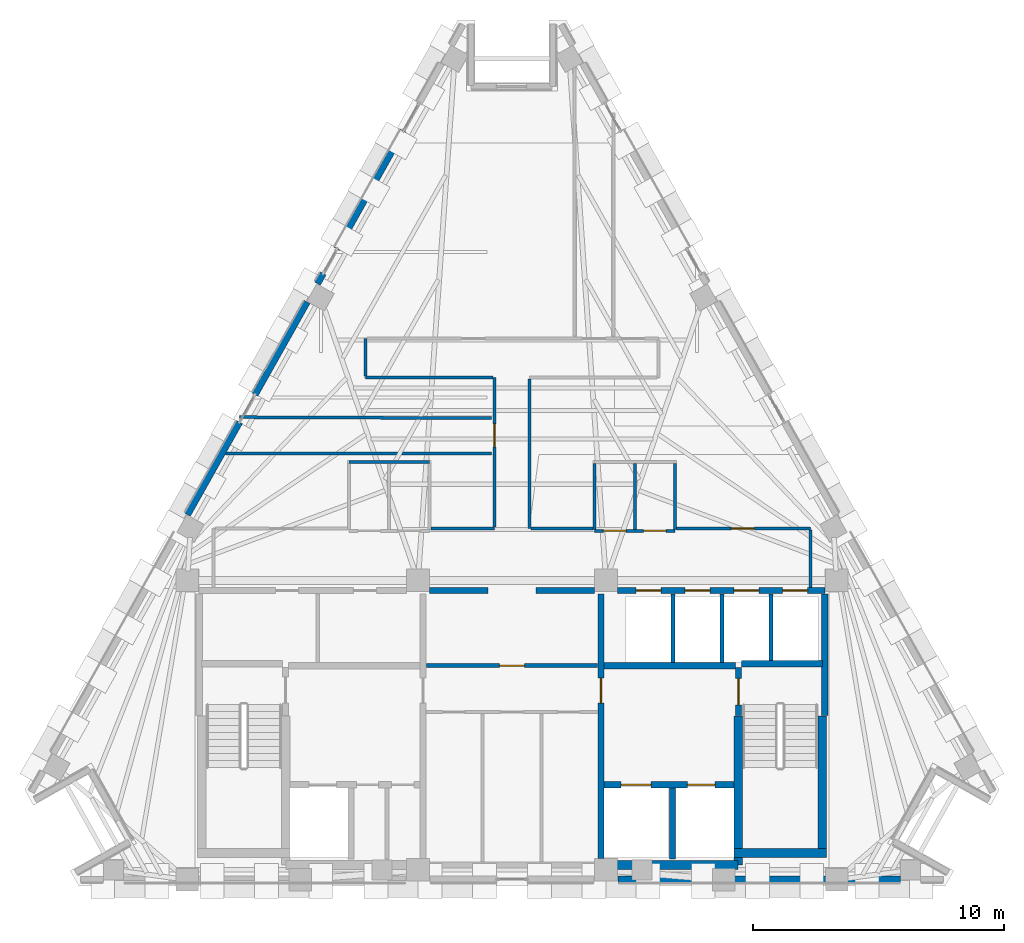
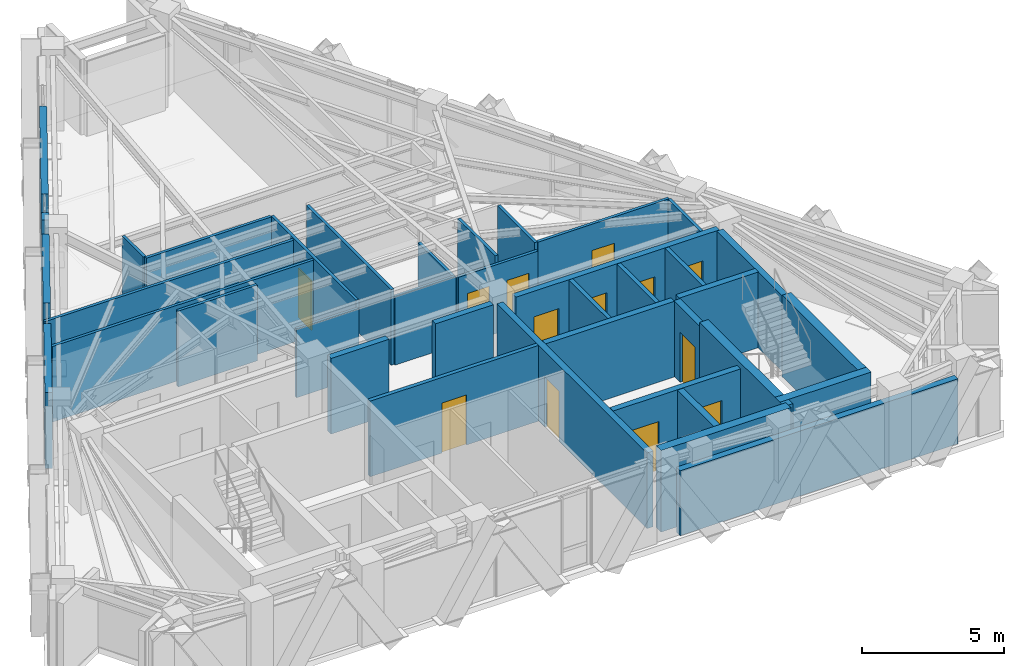
# One storey, part 6 of 9: 38 walls, 13 doors, 13 openings.
"""IFC4 building model written with IfcOpenShell, lengths in metres."""

import ifcopenshell
import ifcopenshell.guid

model = None  # the IFC model being written
_history = None  # IfcOwnerHistory: only IFC2X3 demands one
_inside = {}  # id of a spatial element -> (the spatial element, [elements in it])
_under = {}  # id of a project, library or spatial element -> (it, [spatial elements below it])
_declared = {}  # id of a project -> (the project, [libraries it declares])
_typed = {}  # id of a type object -> (the type object, [elements of that type])
_made_of = {}  # id of a material, layer set ... -> (it, [elements and type objects made of it])


def new_model(schema):
    """Start an empty IFC model of exactly this schema.

    Asked for "IFC4X3", IfcOpenShell would pick the latest addendum, in which some entities
    have other attributes; the version numbers below select the first issue.
    IFC2X3 requires an IfcOwnerHistory on every rooted entity: one is made here for all.
    """
    global model, _history
    if schema == "IFC4X3":
        model = ifcopenshell.file(schema_version=(4, 3, 0, 0))
    else:
        model = ifcopenshell.file(schema=schema)
    _inside.clear()
    _under.clear()
    _declared.clear()
    _typed.clear()
    _made_of.clear()
    _history = None
    if model.schema == "IFC2X3":
        org = make("IfcOrganization", Name="unknown")
        user = make(
            "IfcPersonAndOrganization",
            ThePerson=make("IfcPerson", FamilyName="unknown"),
            TheOrganization=org,
        )
        app = make(
            "IfcApplication",
            ApplicationDeveloper=org,
            Version="unknown",
            ApplicationFullName="unknown",
            ApplicationIdentifier="unknown",
        )
        _history = make(
            "IfcOwnerHistory",
            OwningUser=user,
            OwningApplication=app,
            ChangeAction="ADDED",
            CreationDate=0,
        )
    return model


def make(cls, **values):
    """One entity of the class cls with the attributes given. An attribute that is None is left unset."""
    return model.create_entity(
        cls, **{name: value for name, value in values.items() if value is not None}
    )


def rooted(cls, **values):
    """An entity with a GlobalId (a new one), such as an element, a storey or a relation."""
    return make(cls, GlobalId=ifcopenshell.guid.new(), OwnerHistory=_history, **values)


def si_unit(unit_type, name, prefix=None):
    """IfcSIUnit, for example si_unit("LENGTHUNIT", "METRE", prefix="MILLI")."""
    return make("IfcSIUnit", UnitType=unit_type, Prefix=prefix, Name=name)


def assignment(units):
    """IfcUnitAssignment: the units of a project."""
    return None if units is None else make("IfcUnitAssignment", Units=units)


def point(xyz):
    """IfcCartesianPoint."""
    return None if xyz is None else make("IfcCartesianPoint", Coordinates=xyz)


def direction(xyz):
    """IfcDirection."""
    return None if xyz is None else make("IfcDirection", DirectionRatios=xyz)


def frame(location, z_axis=None, x_axis=None):
    """IfcAxis2Placement3D, a coordinate frame: its origin and axes. An axis left out is left unset."""
    return make(
        "IfcAxis2Placement3D",
        Location=point(location),
        Axis=direction(z_axis),
        RefDirection=direction(x_axis),
    )


def frame_2d(location, x_axis=None):
    """IfcAxis2Placement2D, a coordinate frame in the plane: its origin and x axis."""
    return make(
        "IfcAxis2Placement2D", Location=point(location), RefDirection=direction(x_axis)
    )


def origin():
    """The frame at (0, 0, 0) with its axes left unset."""
    return frame((0.0, 0.0, 0.0))


def place(relative_to, where):
    """IfcLocalPlacement: puts the frame where relative to a parent placement (None: the world)."""
    return make(
        "IfcLocalPlacement", PlacementRelTo=relative_to, RelativePlacement=where
    )


def context(
    kind, dimensions, precision=None, world=None, true_north=None, identifier=None
):
    """IfcGeometricRepresentationContext, for example the 3D "Model" context."""
    return make(
        "IfcGeometricRepresentationContext",
        ContextIdentifier=identifier,
        ContextType=kind,
        CoordinateSpaceDimension=dimensions,
        Precision=precision,
        WorldCoordinateSystem=world,
        TrueNorth=true_north,
    )


def subcontext(parent, identifier, kind, view, scale=None):
    """IfcGeometricRepresentationSubContext, for example "Body" below "Model"."""
    return make(
        "IfcGeometricRepresentationSubContext",
        ContextIdentifier=identifier,
        ContextType=kind,
        ParentContext=parent,
        TargetScale=scale,
        TargetView=view,
    )


def project(units=None, contexts=None):
    """IfcProject with its units and contexts."""
    return rooted(
        "IfcProject",
        Name="project",
        RepresentationContexts=contexts,
        UnitsInContext=assignment(units),
    )


def spatial(cls, under=None, at=None, **own):
    """A site, building, storey or space (cls), placed at a placement, below another one or the project."""
    s = rooted(cls, ObjectPlacement=at, **own)
    if under is not None:
        _under.setdefault(under.id(), (under, []))[1].append(s)
    return s


def profile(cls, at=None, kind="AREA", **sizes):
    """A parametric profile (cls). Its sizes go by their IFC names, for example OverallWidth=200.0."""
    return make(cls, ProfileType=kind, Position=at, **sizes)


def rectangle(**sizes):
    """IfcRectangleProfileDef."""
    return profile("IfcRectangleProfileDef", **sizes)


def extrude(swept, where, along, depth):
    """IfcExtrudedAreaSolid: the profile swept, set in the frame where, extruded along a direction by depth."""
    return make(
        "IfcExtrudedAreaSolid",
        SweptArea=swept,
        Position=where,
        ExtrudedDirection=direction(along),
        Depth=depth,
    )


def shape(context_of_items, identifier, shape_type, items):
    """IfcShapeRepresentation: the items that make up one representation, for example the "Body"."""
    return make(
        "IfcShapeRepresentation",
        ContextOfItems=context_of_items,
        RepresentationIdentifier=identifier,
        RepresentationType=shape_type,
        Items=items,
    )


def material(Name=None, Category=None):
    """IfcMaterial."""
    return make("IfcMaterial", Name=Name, Category=Category)


def layer(
    of_material, thickness, ventilated=None, Name=None, Category=None, Priority=None
):
    """IfcMaterialLayer: one layer of a wall or slab, of a material (None: an air gap)."""
    return make(
        "IfcMaterialLayer",
        Material=of_material,
        LayerThickness=thickness,
        IsVentilated=ventilated,
        Name=Name,
        Category=Category,
        Priority=Priority,
    )


def layer_set(layers, Name=None):
    """IfcMaterialLayerSet."""
    return make("IfcMaterialLayerSet", MaterialLayers=layers, LayerSetName=Name)


def made_of(thing, what):
    """Note that an element or type object is made of a material, layer set ...; save() writes the relation."""
    if what is not None:
        _made_of.setdefault(what.id(), (what, []))[1].append(thing)
    return thing


def type_object(cls, material=None, **own):
    """A type object (cls), such as IfcWallType, which elements share."""
    return made_of(rooted(cls, **own), material)


def element(
    cls,
    number,
    at=None,
    inside=None,
    cuts=None,
    type_object=None,
    material=None,
    context=None,
    identifier="Body",
    shape_type=None,
    held_by="IfcProductDefinitionShape",
    body=None,
    shapes=None,
    **own,
):
    """One element of the class cls, such as IfcWall. Its Tag is "e" and its number.

    at: its placement. inside: the storey or other place that contains it. cuts: it is an
    opening in that element (IfcRelVoidsElement). A single representation is given by context,
    identifier, shape_type and body (its items); several are given by shapes. held_by: the class
    of the entity that holds the representations. save() writes the other relations.
    """
    e = rooted(cls, Tag="e%d" % number, ObjectPlacement=at, **own)
    if body is not None:
        shapes = [shape(context, identifier, shape_type, body)]
    if shapes is not None:
        e.Representation = make(held_by, Representations=shapes)
    if inside is not None:
        _inside.setdefault(inside.id(), (inside, []))[1].append(e)
    if cuts is not None:
        rooted(
            "IfcRelVoidsElement", RelatingBuildingElement=cuts, RelatedOpeningElement=e
        )
    if type_object is not None:
        _typed.setdefault(type_object.id(), (type_object, []))[1].append(e)
    return made_of(e, material)


def fill(opening, filler):
    """IfcRelFillsElement: the door or window that sits in an opening."""
    return rooted(
        "IfcRelFillsElement",
        RelatingOpeningElement=opening,
        RelatedBuildingElement=filler,
    )


def aggregate(whole, parts):
    """IfcRelAggregates: a whole, such as a stair, and the parts it consists of."""
    return rooted("IfcRelAggregates", RelatingObject=whole, RelatedObjects=parts)


def save(model, path):
    """Write the relations noted so far, then the file.

    IfcRelAggregates (storeys below a building ...), IfcRelContainedInSpatialStructure (elements
    in a storey), IfcRelDefinesByType, IfcRelAssociatesMaterial and IfcRelDeclares: one each for
    every whole, place, type object, material and project.
    """
    for whole, parts in _under.values():
        aggregate(whole, parts)
    for where, things in _inside.values():
        rooted(
            "IfcRelContainedInSpatialStructure",
            RelatedElements=things,
            RelatingStructure=where,
        )
    for kind, things in _typed.values():
        rooted("IfcRelDefinesByType", RelatedObjects=things, RelatingType=kind)
    for what, things in _made_of.values():
        rooted("IfcRelAssociatesMaterial", RelatedObjects=things, RelatingMaterial=what)
    for by, libraries in _declared.values():
        rooted("IfcRelDeclares", RelatingContext=by, RelatedDefinitions=libraries)
    model.write(path)


model = new_model("IFC4")

# Units and contexts
model_context = context("Model", 3, precision=1e-05, world=origin(), true_north=direction((0.0, 1.0)))
body_context = subcontext(model_context, "Body", "Model", "MODEL_VIEW")
ifc_project = project(units=[si_unit("LENGTHUNIT", "METRE"), si_unit("AREAUNIT", "SQUARE_METRE"), si_unit("VOLUMEUNIT", "CUBIC_METRE"), si_unit("PLANEANGLEUNIT", "RADIAN"), si_unit("MASSUNIT", "GRAM", prefix="KILO")], contexts=[model_context])

# Site, building, storey
site_placement = place(None, origin())
site = spatial("IfcSite", under=ifc_project, at=site_placement, CompositionType="ELEMENT")
building_placement = place(site_placement, origin())
building = spatial("IfcBuilding", under=site, at=building_placement, Name="Quenlor Broadcast Tower", CompositionType="ELEMENT")
storey_placement = place(building_placement, frame((0.0, 0.0, 256.89990234375)))
storey = spatial("IfcBuildingStorey", under=building, at=storey_placement, Name="L71", CompositionType="ELEMENT", Elevation=256.89990234375)

# Walls
ifc_material_1 = material(Name="Concrete C50/60", Category="concrete")
ifc_layer_1 = layer(ifc_material_1, 0.35009765625)
ifc_layer_set_1 = layer_set([ifc_layer_1], Name="Core Concrete C50/60 Shear Wall 350")
wall_type_1 = type_object("IfcWallType", Name="Core Concrete C50/60 Shear Wall 350", PredefinedType="SHEAR", material=ifc_layer_set_1)
wall_1_placement = place(storey_placement, frame((3.75, -16.14990234375, 0.0), z_axis=(0.0, 0.0, 1.0), x_axis=(1.0, 0.0, 0.0)))
element("IfcWall", 1, at=wall_1_placement, inside=storey, type_object=wall_type_1, Name="L71 Core Shear Wall WS-E1", PredefinedType="SHEAR", context=body_context, shape_type="SweptSolid", body=[
    extrude(rectangle(XDim=5.27490234375, YDim=0.35009765625, at=frame_2d((2.637451171875, 0.0))), origin(), (0.0, 0.0, 1.0), 3.5),
])
wall_2_placement = place(storey_placement, frame((8.85009765625, -15.675048828125, 0.0), z_axis=(0.0, 0.0, 1.0), x_axis=(1.0, 0.0, 0.0)))
element("IfcWall", 2, at=wall_2_placement, inside=storey, type_object=wall_type_1, Name="L71 Core Shear Wall WS-E2", PredefinedType="SHEAR", context=body_context, shape_type="SweptSolid", body=[
    extrude(rectangle(XDim=3.699951171875, YDim=0.35009765625, at=frame_2d((1.85009765625, 0.0))), origin(), (0.0, 0.0, 1.0), 3.5),
])
wall_3_placement = place(storey_placement, frame((12.375, -15.675048828125, 0.0), z_axis=(0.0, 0.0, 1.0), x_axis=(0.0, 1.0, 0.0)))
element("IfcWall", 3, at=wall_3_placement, inside=storey, type_object=wall_type_1, Name="L71 Core Shear Wall WF-E", PredefinedType="SHEAR", context=body_context, shape_type="SweptSolid", body=[
    extrude(rectangle(XDim=5.47509765625, YDim=0.35009765625, at=frame_2d((2.737548828125, 0.0))), origin(), (0.0, 0.0, 1.0), 3.5),
])
wall_4_placement = place(storey_placement, frame((9.02490234375, -16.14990234375, 0.0), z_axis=(0.0, 0.0, 1.0), x_axis=(0.0, 1.0, 0.0)))
element("IfcWall", 4, at=wall_4_placement, inside=storey, type_object=wall_type_1, Name="L71 Core Shear Wall WI-E", PredefinedType="SHEAR", context=body_context, shape_type="SweptSolid", body=[
    extrude(rectangle(XDim=5.949951171875, YDim=0.35009765625, at=frame_2d((2.97509765625, 0.0))), origin(), (0.0, 0.0, 1.0), 3.5),
])

# Wall, opening, door
ifc_material_2 = material(Name="Concrete C40/50", Category="concrete")
ifc_layer_2 = layer(ifc_material_2, 0.25)
ifc_layer_set_2 = layer_set([ifc_layer_2], Name="Fire Rated Concrete C40/50 Core Wall 250")
wall_type_2 = type_object("IfcWallType", Name="Fire Rated Concrete C40/50 Core Wall 250", PredefinedType="PARTITIONING", material=ifc_layer_set_2)
wall_5_placement = place(storey_placement, frame((9.0400390625, -10.179931640625, 0.0), z_axis=(0.0, 0.0, 1.0), x_axis=(0.0, 1.0, 0.0)))
wall_5 = element("IfcWall", 5, at=wall_5_placement, inside=storey, type_object=wall_type_2, Name="L71 Interior Wall CW-ST2-DR", PredefinedType="PARTITIONING", context=body_context, shape_type="SweptSolid", body=[
    extrude(rectangle(XDim=1.89990234375, YDim=0.25, at=frame_2d((0.949951171875, 0.0))), origin(), (0.0, 0.0, 1.0), 3.25),
])
opening_1_placement = place(wall_5_placement, frame((0.419921875, 0.0, 0.0)))
opening_1 = element("IfcOpeningElement", 6, at=opening_1_placement, cuts=wall_5, Name="Opening FD-1", PredefinedType="OPENING", context=body_context, shape_type="SweptSolid", body=[
    extrude(rectangle(XDim=1.050048828125, YDim=2.14990234375, at=frame_2d((0.52490234375, 1.074951171875))), frame((0.0, 0.135009765625, 0.0), z_axis=(0.0, -1.0, 0.0), x_axis=(1.0, 0.0, 0.0)), (0.0, 0.0, 1.0), 0.27001953125),
])
ifc_material_3 = material(Name="Fire Rated Steel Door Leaf", Category="steel")
door_type_1 = type_object("IfcDoorType", Name="Fire Isolated Stair Door 1050x2150", OperationType="NOTDEFINED", PredefinedType="DOOR", material=ifc_material_3)
door_1_placement = place(opening_1_placement, origin())
door_1 = element("IfcDoor", 7, at=door_1_placement, inside=storey, type_object=door_type_1, Name="L71 Door DR-ST2", OperationType="SINGLE_SWING_RIGHT", OverallHeight=2.14990234375, OverallWidth=1.050048828125, PredefinedType="DOOR", context=body_context, shape_type="SweptSolid", body=[
    extrude(rectangle(XDim=1.050048828125, YDim=2.14990234375, at=frame_2d((0.52490234375, 1.074951171875))), frame((0.0, 0.02490234375, 0.0), z_axis=(0.0, -1.0, 0.0), x_axis=(1.0, 0.0, 0.0)), (0.0, 0.0, 1.0), 0.050048828125),
])
fill(opening_1, door_1)

# Walls
wall_6_placement = place(storey_placement, frame((9.159912109375, -8.1201171875, 0.0), z_axis=(0.0, 0.0, 1.0), x_axis=(1.0, 0.0, 0.0)))
element("IfcWall", 8, at=wall_6_placement, inside=storey, type_object=wall_type_2, Name="L71 Interior Wall CW-ST2-N", PredefinedType="PARTITIONING", context=body_context, shape_type="SweptSolid", body=[
    extrude(rectangle(XDim=3.219970703125, YDim=0.25, at=frame_2d((1.60986328125, 0.0))), origin(), (0.0, 0.0, 1.0), 3.25),
])
wall_7_placement = place(storey_placement, frame((12.47998046875, -10.179931640625, 0.0), z_axis=(0.0, 0.0, 1.0), x_axis=(0.0, 1.0, 0.0)))
element("IfcWall", 9, at=wall_7_placement, inside=storey, type_object=wall_type_2, Name="L71 Interior Wall CW-ST2-E2", PredefinedType="PARTITIONING", context=body_context, shape_type="SweptSolid", body=[
    extrude(rectangle(XDim=4.83984375, YDim=0.25, at=frame_2d((2.419921875, 0.0))), origin(), (0.0, 0.0, 1.0), 3.25),
])

# Wall, openings, doors
wall_8_placement = place(storey_placement, frame((3.679931640625, -12.949951171875, 0.0), z_axis=(0.0, 0.0, 1.0), x_axis=(1.0, 0.0, 0.0)))
wall_8 = element("IfcWall", 10, at=wall_8_placement, inside=storey, type_object=wall_type_2, Name="L71 Interior Wall CW-FFE-S", PredefinedType="PARTITIONING", context=body_context, shape_type="SweptSolid", body=[
    extrude(rectangle(XDim=5.16796875, YDim=0.25, at=frame_2d((2.583984375, 0.0))), origin(), (0.0, 0.0, 1.0), 3.25),
])
opening_2_placement = place(wall_8_placement, frame((3.320068359375, 0.0, 0.0)))
opening_2 = element("IfcOpeningElement", 11, at=opening_2_placement, cuts=wall_8, Name="Opening LD-FFL-2", PredefinedType="OPENING", context=body_context, shape_type="SweptSolid", body=[
    extrude(rectangle(XDim=1.10009765625, YDim=2.14990234375, at=frame_2d((0.550048828125, 1.074951171875))), frame((0.0, 0.135009765625, 0.0), z_axis=(0.0, -1.0, 0.0), x_axis=(1.0, 0.0, 0.0)), (0.0, 0.0, 1.0), 0.27001953125),
])
opening_3_placement = place(wall_8_placement, frame((0.669921875, 0.0, 0.0)))
opening_3 = element("IfcOpeningElement", 12, at=opening_3_placement, cuts=wall_8, Name="Opening LD-SVL-1", PredefinedType="OPENING", context=body_context, shape_type="SweptSolid", body=[
    extrude(rectangle(XDim=1.199951171875, YDim=2.14990234375, at=frame_2d((0.60009765625, 1.074951171875))), frame((0.0, 0.135009765625, 0.0), z_axis=(0.0, -1.0, 0.0), x_axis=(1.0, 0.0, 0.0)), (0.0, 0.0, 1.0), 0.27001953125),
])
ifc_material_4 = material(Name="Brushed Stainless Steel", Category="steel")
door_type_2 = type_object("IfcDoorType", Name="Emergency Lift Sliding Landing Door 1100x2150", OperationType="NOTDEFINED", PredefinedType="DOOR", material=ifc_material_4)
door_2_placement = place(opening_2_placement, origin())
door_2 = element("IfcDoor", 13, at=door_2_placement, inside=storey, type_object=door_type_2, Name="L71 Door LD-FFL-2", OperationType="SLIDING_TO_RIGHT", OverallHeight=2.14990234375, OverallWidth=1.10009765625, PredefinedType="DOOR", context=body_context, shape_type="SweptSolid", body=[
    extrude(rectangle(XDim=1.10009765625, YDim=2.14990234375, at=frame_2d((0.550048828125, 1.074951171875))), frame((0.0, 0.02490234375, 0.0), z_axis=(0.0, -1.0, 0.0), x_axis=(1.0, 0.0, 0.0)), (0.0, 0.0, 1.0), 0.050048828125),
])
fill(opening_2, door_2)
ifc_material_5 = material(Name="Brushed Stainless Steel", Category="steel")
door_type_3 = type_object("IfcDoorType", Name="Goods Lift Sliding Landing Door 1200x2150", OperationType="NOTDEFINED", PredefinedType="DOOR", material=ifc_material_5)
door_3_placement = place(opening_3_placement, origin())
door_3 = element("IfcDoor", 14, at=door_3_placement, inside=storey, type_object=door_type_3, Name="L71 Door LD-SVL-1", OperationType="SLIDING_TO_LEFT", OverallHeight=2.14990234375, OverallWidth=1.199951171875, PredefinedType="DOOR", context=body_context, shape_type="SweptSolid", body=[
    extrude(rectangle(XDim=1.199951171875, YDim=2.14990234375, at=frame_2d((0.60009765625, 1.074951171875))), frame((0.0, 0.02490234375, 0.0), z_axis=(0.0, -1.0, 0.0), x_axis=(1.0, 0.0, 0.0)), (0.0, 0.0, 1.0), 0.050048828125),
])
fill(opening_3, door_3)

# Walls
wall_9_placement = place(storey_placement, frame((6.39990234375, -15.919921875, 0.0), z_axis=(0.0, 0.0, 1.0), x_axis=(0.0, 1.0, 0.0)))
element("IfcWall", 15, at=wall_9_placement, inside=storey, type_object=wall_type_2, Name="L71 Interior Wall CW-SV1-E", PredefinedType="PARTITIONING", context=body_context, shape_type="SweptSolid", body=[
    extrude(rectangle(XDim=2.829833984375, YDim=0.25, at=frame_2d((1.4150390625, 0.0))), origin(), (0.0, 0.0, 1.0), 3.25),
])
wall_10_placement = place(storey_placement, frame((3.679931640625, -8.199951171875, 0.0), z_axis=(0.0, 0.0, 1.0), x_axis=(1.0, 0.0, 0.0)))
element("IfcWall", 16, at=wall_10_placement, inside=storey, type_object=wall_type_2, Name="L71 Interior Wall CW-FFE-N", PredefinedType="PARTITIONING", context=body_context, shape_type="SweptSolid", body=[
    extrude(rectangle(XDim=5.239990234375, YDim=0.25, at=frame_2d((2.6201171875, 0.0))), origin(), (0.0, 0.0, 1.0), 3.25),
])

# Wall, opening, door
wall_11_placement = place(storey_placement, frame((3.550048828125, -15.89794921875, 0.0), z_axis=(0.0, 0.0, 1.0), x_axis=(0.0, 1.0, 0.0)))
wall_11 = element("IfcWall", 17, at=wall_11_placement, inside=storey, type_object=wall_type_2, Name="L71 Interior Wall CW-FFE-W", PredefinedType="PARTITIONING", context=body_context, shape_type="SweptSolid", body=[
    extrude(rectangle(XDim=10.557861328125, YDim=0.25, at=frame_2d((5.27880859375, 0.0))), origin(), (0.0, 0.0, 1.0), 3.25),
])
opening_4_placement = place(wall_11_placement, frame((6.197998046875, 0.0, 0.0)))
opening_4 = element("IfcOpeningElement", 18, at=opening_4_placement, cuts=wall_11, Name="Opening FD-2", PredefinedType="OPENING", context=body_context, shape_type="SweptSolid", body=[
    extrude(rectangle(XDim=1.0, YDim=2.14990234375, at=frame_2d((0.5, 1.074951171875))), frame((0.0, 0.135009765625, 0.0), z_axis=(0.0, -1.0, 0.0), x_axis=(1.0, 0.0, 0.0)), (0.0, 0.0, 1.0), 0.27001953125),
])
ifc_material_6 = material(Name="Fire Rated Glazed Steel Door", Category="steel")
door_type_4 = type_object("IfcDoorType", Name="Firefighting Lobby Smoke Door 1000x2150", OperationType="NOTDEFINED", PredefinedType="DOOR", material=ifc_material_6)
door_4_placement = place(opening_4_placement, origin())
door_4 = element("IfcDoor", 19, at=door_4_placement, inside=storey, type_object=door_type_4, Name="L71 Door DR-FFLE", OperationType="SINGLE_SWING_LEFT", OverallHeight=2.14990234375, OverallWidth=1.0, PredefinedType="DOOR", context=body_context, shape_type="SweptSolid", body=[
    extrude(rectangle(XDim=1.0, YDim=2.14990234375, at=frame_2d((0.5, 1.074951171875))), frame((0.0, 0.02490234375, 0.0), z_axis=(0.0, -1.0, 0.0), x_axis=(1.0, 0.0, 0.0)), (0.0, 0.0, 1.0), 0.050048828125),
])
fill(opening_4, door_4)

# Wall, openings, doors
wall_12_placement = place(storey_placement, frame((4.201904296875, -5.199951171875, 0.0), z_axis=(0.0, 0.0, 1.0), x_axis=(1.0, 0.0, 0.0)))
wall_12 = element("IfcWall", 20, at=wall_12_placement, inside=storey, type_object=wall_type_2, Name="L71 Interior Wall CW-N-E", PredefinedType="PARTITIONING", context=body_context, shape_type="SweptSolid", body=[
    extrude(rectangle(XDim=8.278076171875, YDim=0.25, at=frame_2d((4.13916015625, 0.0))), origin(), (0.0, 0.0, 1.0), 3.25),
])
opening_5_placement = place(wall_12_placement, frame((0.748046875, 0.0, 0.0)))
opening_5 = element("IfcOpeningElement", 21, at=opening_5_placement, cuts=wall_12, Name="Opening LD-PL-H1", PredefinedType="OPENING", context=body_context, shape_type="SweptSolid", body=[
    extrude(rectangle(XDim=1.0, YDim=2.14990234375, at=frame_2d((0.5, 1.074951171875))), frame((0.0, 0.135009765625, 0.0), z_axis=(0.0, -1.0, 0.0), x_axis=(1.0, 0.0, 0.0)), (0.0, 0.0, 1.0), 0.27001953125),
])
opening_6_placement = place(wall_12_placement, frame((2.697998046875, 0.0, 0.0)))
opening_6 = element("IfcOpeningElement", 22, at=opening_6_placement, cuts=wall_12, Name="Opening LD-PL-H2", PredefinedType="OPENING", context=body_context, shape_type="SweptSolid", body=[
    extrude(rectangle(XDim=1.0, YDim=2.14990234375, at=frame_2d((0.5, 1.074951171875))), frame((0.0, 0.135009765625, 0.0), z_axis=(0.0, -1.0, 0.0), x_axis=(1.0, 0.0, 0.0)), (0.0, 0.0, 1.0), 0.27001953125),
])
opening_7_placement = place(wall_12_placement, frame((4.64794921875, 0.0, 0.0)))
opening_7 = element("IfcOpeningElement", 23, at=opening_7_placement, cuts=wall_12, Name="Opening LD-PL-H3", PredefinedType="OPENING", context=body_context, shape_type="SweptSolid", body=[
    extrude(rectangle(XDim=1.0, YDim=2.14990234375, at=frame_2d((0.5, 1.074951171875))), frame((0.0, 0.135009765625, 0.0), z_axis=(0.0, -1.0, 0.0), x_axis=(1.0, 0.0, 0.0)), (0.0, 0.0, 1.0), 0.27001953125),
])
opening_8_placement = place(wall_12_placement, frame((6.597900390625, 0.0, 0.0)))
opening_8 = element("IfcOpeningElement", 24, at=opening_8_placement, cuts=wall_12, Name="Opening LD-PL-H4", PredefinedType="OPENING", context=body_context, shape_type="SweptSolid", body=[
    extrude(rectangle(XDim=1.0, YDim=2.14990234375, at=frame_2d((0.5, 1.074951171875))), frame((0.0, 0.135009765625, 0.0), z_axis=(0.0, -1.0, 0.0), x_axis=(1.0, 0.0, 0.0)), (0.0, 0.0, 1.0), 0.27001953125),
])
ifc_material_7 = material(Name="Brushed Stainless Steel", Category="steel")
door_type_5 = type_object("IfcDoorType", Name="Passenger Lift Sliding Landing Door 1000x2150", OperationType="NOTDEFINED", PredefinedType="DOOR", material=ifc_material_7)
door_5_placement = place(opening_5_placement, origin())
door_5 = element("IfcDoor", 25, at=door_5_placement, inside=storey, type_object=door_type_5, Name="L71 Door LD-PL-H1", OperationType="SLIDING_TO_RIGHT", OverallHeight=2.14990234375, OverallWidth=1.0, PredefinedType="DOOR", context=body_context, shape_type="SweptSolid", body=[
    extrude(rectangle(XDim=1.0, YDim=2.14990234375, at=frame_2d((0.5, 1.074951171875))), frame((0.0, 0.02490234375, 0.0), z_axis=(0.0, -1.0, 0.0), x_axis=(1.0, 0.0, 0.0)), (0.0, 0.0, 1.0), 0.050048828125),
])
fill(opening_5, door_5)
door_6_placement = place(opening_6_placement, origin())
door_6 = element("IfcDoor", 26, at=door_6_placement, inside=storey, type_object=door_type_5, Name="L71 Door LD-PL-H2", OperationType="SLIDING_TO_RIGHT", OverallHeight=2.14990234375, OverallWidth=1.0, PredefinedType="DOOR", context=body_context, shape_type="SweptSolid", body=[
    extrude(rectangle(XDim=1.0, YDim=2.14990234375, at=frame_2d((0.5, 1.074951171875))), frame((0.0, 0.02490234375, 0.0), z_axis=(0.0, -1.0, 0.0), x_axis=(1.0, 0.0, 0.0)), (0.0, 0.0, 1.0), 0.050048828125),
])
fill(opening_6, door_6)
door_7_placement = place(opening_7_placement, origin())
door_7 = element("IfcDoor", 27, at=door_7_placement, inside=storey, type_object=door_type_5, Name="L71 Door LD-PL-H3", OperationType="SLIDING_TO_RIGHT", OverallHeight=2.14990234375, OverallWidth=1.0, PredefinedType="DOOR", context=body_context, shape_type="SweptSolid", body=[
    extrude(rectangle(XDim=1.0, YDim=2.14990234375, at=frame_2d((0.5, 1.074951171875))), frame((0.0, 0.02490234375, 0.0), z_axis=(0.0, -1.0, 0.0), x_axis=(1.0, 0.0, 0.0)), (0.0, 0.0, 1.0), 0.050048828125),
])
fill(opening_7, door_7)
door_8_placement = place(opening_8_placement, origin())
door_8 = element("IfcDoor", 28, at=door_8_placement, inside=storey, type_object=door_type_5, Name="L71 Door LD-PL-H4", OperationType="SLIDING_TO_RIGHT", OverallHeight=2.14990234375, OverallWidth=1.0, PredefinedType="DOOR", context=body_context, shape_type="SweptSolid", body=[
    extrude(rectangle(XDim=1.0, YDim=2.14990234375, at=frame_2d((0.5, 1.074951171875))), frame((0.0, 0.02490234375, 0.0), z_axis=(0.0, -1.0, 0.0), x_axis=(1.0, 0.0, 0.0)), (0.0, 0.0, 1.0), 0.050048828125),
])
fill(opening_8, door_8)

# Walls
for number, where, z_axis, x_axis, name in (
    (29, (-3.298095703125, -5.199951171875, 0.0), (0.0, 0.0, 1.0), (1.0, 0.0, 0.0), "L71 Interior Wall CW-N-M1"),
    (30, (0.949951171875, -5.199951171875, 0.0), (0.0, 0.0, 1.0), (1.0, 0.0, 0.0), "L71 Interior Wall CW-N-M2"),
):
    element("IfcWall", number, at=place(storey_placement, frame(where, z_axis=z_axis, x_axis=x_axis)), inside=storey, type_object=wall_type_2, Name=name, PredefinedType="PARTITIONING", context=body_context, shape_type="SweptSolid", body=[
        extrude(rectangle(XDim=2.34814453125, YDim=0.25, at=frame_2d((1.174072265625, 0.0))), origin(), (0.0, 0.0, 1.0), 3.25),
    ])
ifc_material_8 = material(Name="Gypsum Fireboard Partition", Category="other")
ifc_layer_3 = layer(ifc_material_8, 0.159912109375)
ifc_layer_set_3 = layer_set([ifc_layer_3], Name="Fire Rated Shaft and Corridor Partition 160")
wall_type_3 = type_object("IfcWallType", Name="Fire Rated Shaft and Corridor Partition 160", PredefinedType="PARTITIONING", material=ifc_layer_set_3)
for number, where, z_axis, x_axis, name in (
    (31, (6.425048828125, -8.072998046875, 0.0), (0.0, 0.0, 1.0), (0.0, 1.0, 0.0), "L71 Interior Wall CW-PLH-D1"),
    (32, (8.375, -8.072998046875, 0.0), (0.0, 0.0, 1.0), (0.0, 1.0, 0.0), "L71 Interior Wall CW-PLH-D2"),
):
    element("IfcWall", number, at=place(storey_placement, frame(where, z_axis=z_axis, x_axis=x_axis)), inside=storey, type_object=wall_type_3, Name=name, PredefinedType="PARTITIONING", context=body_context, shape_type="SweptSolid", body=[
        extrude(rectangle(XDim=2.73291015625, YDim=0.159912109375, at=frame_2d((1.366455078125, 0.0))), origin(), (0.0, 0.0, 1.0), 3.25),
    ])
wall_13_placement = place(storey_placement, frame((10.324951171875, -7.992919921875, 0.0), z_axis=(0.0, 0.0, 1.0), x_axis=(0.0, 1.0, 0.0)))
element("IfcWall", 33, at=wall_13_placement, inside=storey, type_object=wall_type_3, Name="L71 Interior Wall CW-PLH-D3", PredefinedType="PARTITIONING", context=body_context, shape_type="SweptSolid", body=[
    extrude(rectangle(XDim=2.65283203125, YDim=0.159912109375, at=frame_2d((1.326416015625, 0.0))), origin(), (0.0, 0.0, 1.0), 3.25),
])

# Wall, opening, door
wall_14_placement = place(storey_placement, frame((-3.419921875, -8.199951171875, 0.0), z_axis=(0.0, 0.0, 1.0), x_axis=(1.0, 0.0, 0.0)))
wall_14 = element("IfcWall", 34, at=wall_14_placement, inside=storey, type_object=wall_type_3, Name="L71 Interior Wall CW-M-BACK", PredefinedType="PARTITIONING", context=body_context, shape_type="SweptSolid", body=[
    extrude(rectangle(XDim=6.83984375, YDim=0.159912109375, at=frame_2d((3.419921875, 0.0))), origin(), (0.0, 0.0, 1.0), 3.25),
])
opening_9_placement = place(wall_14_placement, frame((2.919921875, 0.0, 0.0)))
opening_9 = element("IfcOpeningElement", 35, at=opening_9_placement, cuts=wall_14, Name="Opening FD-2", PredefinedType="OPENING", context=body_context, shape_type="SweptSolid", body=[
    extrude(rectangle(XDim=1.0, YDim=2.14990234375, at=frame_2d((0.5, 1.074951171875))), frame((0.0, 0.08984375, 0.0), z_axis=(0.0, -1.0, 0.0), x_axis=(1.0, 0.0, 0.0)), (0.0, 0.0, 1.0), 0.179931640625),
])
door_9_placement = place(opening_9_placement, origin())
door_9 = element("IfcDoor", 36, at=door_9_placement, inside=storey, type_object=door_type_4, Name="L71 Door DR-CCRP", OperationType="SINGLE_SWING_LEFT", OverallHeight=2.14990234375, OverallWidth=1.0, PredefinedType="DOOR", context=body_context, shape_type="SweptSolid", body=[
    extrude(rectangle(XDim=1.0, YDim=2.14990234375, at=frame_2d((0.5, 1.074951171875))), frame((0.0, 0.02490234375, 0.0), z_axis=(0.0, -1.0, 0.0), x_axis=(1.0, 0.0, 0.0)), (0.0, 0.0, 1.0), 0.050048828125),
])
fill(opening_9, door_9)

# Wall
ifc_material_9 = material(Name="Gypsum Plasterboard Partition", Category="other")
ifc_layer_4 = layer(ifc_material_9, 0.1201171875)
ifc_layer_set_4 = layer_set([ifc_layer_4], Name="Standard Office Partition 120")
wall_type_4 = type_object("IfcWallType", Name="Standard Office Partition 120", PredefinedType="PARTITIONING", material=ifc_layer_set_4)
wall_15_placement = place(storey_placement, frame((-6.510009765625, -0.070068359375, 0.0), z_axis=(0.0, 0.0, 1.0), x_axis=(1.0, 0.0, 0.0)))
element("IfcWall", 37, at=wall_15_placement, inside=storey, type_object=wall_type_4, Name="L71 Interior Wall PW-WCW-N", PredefinedType="PARTITIONING", context=body_context, shape_type="SweptSolid", body=[
    extrude(rectangle(XDim=3.219970703125, YDim=0.1201171875, at=frame_2d((1.60986328125, 0.0))), origin(), (0.0, 0.0, 1.0), 3.25),
])

# Wall, openings, doors
wall_16_placement = place(storey_placement, frame((3.2900390625, -2.820068359375, 0.0), z_axis=(0.0, 0.0, 1.0), x_axis=(1.0, 0.0, 0.0)))
wall_16 = element("IfcWall", 38, at=wall_16_placement, inside=storey, type_object=wall_type_4, Name="L71 Interior Wall PW-WCE-S", PredefinedType="PARTITIONING", context=body_context, shape_type="SweptSolid", body=[
    extrude(rectangle(XDim=3.219970703125, YDim=0.1201171875, at=frame_2d((1.60986328125, 0.0))), origin(), (0.0, 0.0, 1.0), 2.94287109375),
])
opening_10_placement = place(wall_16_placement, frame((0.360107421875, 0.0, 0.0)))
opening_10 = element("IfcOpeningElement", 39, at=opening_10_placement, cuts=wall_16, Name="Opening ID-3", PredefinedType="OPENING", context=body_context, shape_type="SweptSolid", body=[
    extrude(rectangle(XDim=0.89990234375, YDim=2.1201171875, at=frame_2d((0.449951171875, 1.06005859375))), frame((0.0, 0.070068359375, 0.0), z_axis=(0.0, -1.0, 0.0), x_axis=(1.0, 0.0, 0.0)), (0.0, 0.0, 1.0), 0.14013671875),
])
opening_11_placement = place(wall_16_placement, frame((1.9599609375, 0.0, 0.0)))
opening_11 = element("IfcOpeningElement", 40, at=opening_11_placement, cuts=wall_16, Name="Opening ID-3", PredefinedType="OPENING", context=body_context, shape_type="SweptSolid", body=[
    extrude(rectangle(XDim=0.89990234375, YDim=2.1201171875, at=frame_2d((0.449951171875, 1.06005859375))), frame((0.0, 0.070068359375, 0.0), z_axis=(0.0, -1.0, 0.0), x_axis=(1.0, 0.0, 0.0)), (0.0, 0.0, 1.0), 0.14013671875),
])
ifc_material_10 = material(Name="Moisture Resistant Timber Oak", Category="wood")
door_type_6 = type_object("IfcDoorType", Name="Washroom Privacy Door 900x2120", OperationType="NOTDEFINED", PredefinedType="DOOR", material=ifc_material_10)
door_10_placement = place(opening_10_placement, origin())
door_10 = element("IfcDoor", 41, at=door_10_placement, inside=storey, type_object=door_type_6, Name="L71 Door DR-MWC", OperationType="SINGLE_SWING_LEFT", OverallHeight=2.1201171875, OverallWidth=0.89990234375, PredefinedType="DOOR", context=body_context, shape_type="SweptSolid", body=[
    extrude(rectangle(XDim=0.89990234375, YDim=2.1201171875, at=frame_2d((0.449951171875, 1.06005859375))), frame((0.0, 0.02490234375, 0.0), z_axis=(0.0, -1.0, 0.0), x_axis=(1.0, 0.0, 0.0)), (0.0, 0.0, 1.0), 0.050048828125),
])
fill(opening_10, door_10)
door_11_placement = place(opening_11_placement, origin())
door_11 = element("IfcDoor", 42, at=door_11_placement, inside=storey, type_object=door_type_6, Name="L71 Door DR-FWC", OperationType="SINGLE_SWING_RIGHT", OverallHeight=2.1201171875, OverallWidth=0.89990234375, PredefinedType="DOOR", context=body_context, shape_type="SweptSolid", body=[
    extrude(rectangle(XDim=0.89990234375, YDim=2.1201171875, at=frame_2d((0.449951171875, 1.06005859375))), frame((0.0, 0.02490234375, 0.0), z_axis=(0.0, -1.0, 0.0), x_axis=(1.0, 0.0, 0.0)), (0.0, 0.0, 1.0), 0.050048828125),
])
fill(opening_11, door_11)

# Walls
wall_17_placement = place(storey_placement, frame((3.2900390625, -2.758056640625, 0.0), z_axis=(0.0, 0.0, 1.0), x_axis=(0.0, 1.0, 0.0)))
element("IfcWall", 43, at=wall_17_placement, inside=storey, type_object=wall_type_4, Name="L71 Interior Wall PW-WCE-W", PredefinedType="PARTITIONING", context=body_context, shape_type="SweptSolid", body=[
    extrude(rectangle(XDim=2.6259765625, YDim=0.1201171875, at=frame_2d((1.31298828125, 0.0))), origin(), (0.0, 0.0, 1.0), 2.789794921875),
])
for number, where, z_axis, x_axis, name in (
    (44, (4.89990234375, -2.758056640625, 0.0), (0.0, 0.0, 1.0), (0.0, 1.0, 0.0), "L71 Interior Wall PW-WCE-M"),
    (45, (6.510009765625, -2.758056640625, 0.0), (0.0, 0.0, 1.0), (0.0, 1.0, 0.0), "L71 Interior Wall PW-WCE-E"),
):
    element("IfcWall", number, at=place(storey_placement, frame(where, z_axis=z_axis, x_axis=x_axis)), inside=storey, type_object=wall_type_4, Name=name, PredefinedType="PARTITIONING", context=body_context, shape_type="SweptSolid", body=[
        extrude(rectangle(XDim=2.6259765625, YDim=0.1201171875, at=frame_2d((1.31298828125, 0.0))), origin(), (0.0, 0.0, 1.0), 3.25),
    ])
wall_18_placement = place(storey_placement, frame((-3.22802734375, -2.72998046875, 0.0), z_axis=(0.0, 0.0, 1.0), x_axis=(1.0, 0.0, 0.0)))
element("IfcWall", 46, at=wall_18_placement, inside=storey, type_object=wall_type_4, Name="L71 Interior Wall PW-CR-04", PredefinedType="PARTITIONING", context=body_context, shape_type="SweptSolid", body=[
    extrude(rectangle(XDim=2.528076171875, YDim=0.1201171875, at=frame_2d((1.26416015625, 0.0))), origin(), (0.0, 0.0, 1.0), 2.94287109375),
])

# Wall, opening, door
wall_19_placement = place(storey_placement, frame((-0.699951171875, -2.66796875, 0.0), z_axis=(0.0, 0.0, 1.0), x_axis=(0.0, 1.0, 0.0)))
wall_19 = element("IfcWall", 47, at=wall_19_placement, inside=storey, type_object=wall_type_4, Name="L71 Interior Wall PW-CR-05", PredefinedType="PARTITIONING", context=body_context, shape_type="SweptSolid", body=[
    extrude(rectangle(XDim=5.968017578125, YDim=0.1201171875, at=frame_2d((2.98388671875, 0.0))), origin(), (0.0, 0.0, 1.0), 3.25),
])
opening_12_placement = place(wall_19_placement, frame((3.197021484375, 0.0, 0.0)))
opening_12 = element("IfcOpeningElement", 48, at=opening_12_placement, cuts=wall_19, Name="Opening ID-1", PredefinedType="OPENING", context=body_context, shape_type="SweptSolid", body=[
    extrude(rectangle(XDim=0.919921875, YDim=2.1201171875, at=frame_2d((0.4599609375, 1.06005859375))), frame((0.0, 0.070068359375, 0.0), z_axis=(0.0, -1.0, 0.0), x_axis=(1.0, 0.0, 0.0)), (0.0, 0.0, 1.0), 0.14013671875),
])
ifc_material_11 = material(Name="Solid Core Timber Oak", Category="wood")
door_type_7 = type_object("IfcDoorType", Name="Single Leaf Timber Office Door 920x2120", OperationType="NOTDEFINED", PredefinedType="DOOR", material=ifc_material_11)
door_12_placement = place(opening_12_placement, origin())
door_12 = element("IfcDoor", 49, at=door_12_placement, inside=storey, type_object=door_type_7, Name="L71 Door DR-RM04", OperationType="SINGLE_SWING_RIGHT", OverallHeight=2.1201171875, OverallWidth=0.919921875, PredefinedType="DOOR", context=body_context, shape_type="SweptSolid", body=[
    extrude(rectangle(XDim=0.919921875, YDim=2.1201171875, at=frame_2d((0.4599609375, 1.06005859375))), frame((0.0, 0.02490234375, 0.0), z_axis=(0.0, -1.0, 0.0), x_axis=(1.0, 0.0, 0.0)), (0.0, 0.0, 1.0), 0.050048828125),
])
fill(opening_12, door_12)

# Walls
wall_20_placement = place(storey_placement, frame((-0.761962890625, 3.300048828125, 0.0), z_axis=(0.0, 0.0, 1.0), x_axis=(-1.0, 0.0, 0.0)))
element("IfcWall", 50, at=wall_20_placement, inside=storey, type_object=wall_type_4, Name="L71 Interior Wall PW-CR-06", PredefinedType="PARTITIONING", context=body_context, shape_type="SweptSolid", body=[
    extrude(rectangle(XDim=5.088134765625, YDim=0.1201171875, at=frame_2d((2.5439453125, 0.0))), origin(), (0.0, 0.0, 1.0), 3.25),
])
wall_21_placement = place(storey_placement, frame((-5.85009765625, 3.362060546875, 0.0), z_axis=(0.0, 0.0, 1.0), x_axis=(0.0, 1.0, 0.0)))
element("IfcWall", 51, at=wall_21_placement, inside=storey, type_object=wall_type_4, Name="L71 Interior Wall PW-CR-07", PredefinedType="PARTITIONING", context=body_context, shape_type="SweptSolid", body=[
    extrude(rectangle(XDim=1.488037109375, YDim=0.1201171875, at=frame_2d((0.744140625, 0.0))), origin(), (0.0, 0.0, 1.0), 3.25),
])
wall_22_placement = place(storey_placement, frame((0.699951171875, 3.238037109375, 0.0), z_axis=(0.0, 0.0, 1.0), x_axis=(0.0, -1.0, 0.0)))
element("IfcWall", 52, at=wall_22_placement, inside=storey, type_object=wall_type_4, Name="L71 Interior Wall PW-CR-11", PredefinedType="PARTITIONING", context=body_context, shape_type="SweptSolid", body=[
    extrude(rectangle(XDim=5.968017578125, YDim=0.1201171875, at=frame_2d((2.98388671875, 0.0))), origin(), (0.0, 0.0, 1.0), 3.25),
])
wall_23_placement = place(storey_placement, frame((0.761962890625, -2.72998046875, 0.0), z_axis=(0.0, 0.0, 1.0), x_axis=(1.0, 0.0, 0.0)))
element("IfcWall", 53, at=wall_23_placement, inside=storey, type_object=wall_type_4, Name="L71 Interior Wall PW-CR-12", PredefinedType="PARTITIONING", context=body_context, shape_type="SweptSolid", body=[
    extrude(rectangle(XDim=2.466064453125, YDim=0.1201171875, at=frame_2d((1.23291015625, 0.0))), origin(), (0.0, 0.0, 1.0), 2.94287109375),
])

# Wall, opening, door
wall_24_placement = place(storey_placement, frame((6.572021484375, -2.72998046875, 0.0), z_axis=(0.0, 0.0, 1.0), x_axis=(1.0, 0.0, 0.0)))
wall_24 = element("IfcWall", 54, at=wall_24_placement, inside=storey, type_object=wall_type_4, Name="L71 Interior Wall PW-CR-14", PredefinedType="PARTITIONING", context=body_context, shape_type="SweptSolid", body=[
    extrude(rectangle(XDim=5.327880859375, YDim=0.1201171875, at=frame_2d((2.6640625, 0.0))), origin(), (0.0, 0.0, 1.0), 3.25),
])
opening_13_placement = place(wall_24_placement, frame((2.177978515625, 0.0, 0.0)))
opening_13 = element("IfcOpeningElement", 55, at=opening_13_placement, cuts=wall_24, Name="Opening ID-1", PredefinedType="OPENING", context=body_context, shape_type="SweptSolid", body=[
    extrude(rectangle(XDim=0.919921875, YDim=2.1201171875, at=frame_2d((0.4599609375, 1.06005859375))), frame((0.0, 0.070068359375, 0.0), z_axis=(0.0, -1.0, 0.0), x_axis=(1.0, 0.0, 0.0)), (0.0, 0.0, 1.0), 0.14013671875),
])
door_13_placement = place(opening_13_placement, origin())
door_13 = element("IfcDoor", 56, at=door_13_placement, inside=storey, type_object=door_type_7, Name="L71 Door DR-RM06", OperationType="SINGLE_SWING_RIGHT", OverallHeight=2.1201171875, OverallWidth=0.919921875, PredefinedType="DOOR", context=body_context, shape_type="SweptSolid", body=[
    extrude(rectangle(XDim=0.919921875, YDim=2.1201171875, at=frame_2d((0.4599609375, 1.06005859375))), frame((0.0, 0.02490234375, 0.0), z_axis=(0.0, -1.0, 0.0), x_axis=(1.0, 0.0, 0.0)), (0.0, 0.0, 1.0), 0.050048828125),
])
fill(opening_13, door_13)

# Walls
wall_25_placement = place(storey_placement, frame((11.89990234375, -2.7919921875, 0.0), z_axis=(0.0, 0.0, 1.0), x_axis=(0.0, -1.0, 0.0)))
element("IfcWall", 57, at=wall_25_placement, inside=storey, type_object=wall_type_4, Name="L71 Interior Wall PW-CR-15", PredefinedType="PARTITIONING", context=body_context, shape_type="SweptSolid", body=[
    extrude(rectangle(XDim=2.281005859375, YDim=0.1201171875, at=frame_2d((1.140625, 0.0))), origin(), (0.0, 0.0, 1.0), 3.25),
])
wall_26_placement = place(storey_placement, frame((-0.81005859375, 1.67333984375, 0.0), z_axis=(0.0, 0.0, 1.0), x_axis=(-0.999992189826, 0.003952250787, 0.0)))
element("IfcWall", 58, at=wall_26_placement, inside=storey, type_object=wall_type_4, Name="L71 Interior Wall PW-DV-03", PredefinedType="PARTITIONING", context=body_context, shape_type="SweptSolid", body=[
    extrude(rectangle(XDim=10.06884765625, YDim=0.1201171875, at=frame_2d((5.034423828125, 0.0))), origin(), (0.0, 0.0, 1.0), 3.25),
])
wall_27_placement = place(storey_placement, frame((-0.81005859375, 0.264892578125, 0.0), z_axis=(0.0, 0.0, 1.0), x_axis=(-1.0, 0.0, 0.0)))
element("IfcWall", 59, at=wall_27_placement, inside=storey, type_object=wall_type_4, Name="L71 Interior Wall PW-DV-04", PredefinedType="PARTITIONING", context=body_context, shape_type="SweptSolid", body=[
    extrude(rectangle(XDim=10.611328125, YDim=0.1201171875, at=frame_2d((5.3056640625, 0.0))), origin(), (0.0, 0.0, 1.0), 3.25),
])
ifc_material_12 = material(Name="Precast concrete C40/50", Category="concrete")
ifc_layer_5 = layer(ifc_material_12, 0.260009765625)
ifc_layer_set_5 = layer_set([ifc_layer_5], Name="Terracotta Precast Concrete C40/50 Upper Wall 260")
wall_type_5 = type_object("IfcWallType", Name="Terracotta Precast Concrete C40/50 Upper Wall 260", PredefinedType="STANDARD", material=ifc_layer_set_5)
wall_28_placement = place(storey_placement, frame((15.49267578125, -16.72509765625, 0.0), z_axis=(0.0, 0.0, 1.0), x_axis=(-1.0, 0.0, 0.0)))
element("IfcWall", 60, at=wall_28_placement, inside=storey, type_object=wall_type_5, Name="L71 Exterior Wall L71-EW-SA", PredefinedType="STANDARD", context=body_context, shape_type="SweptSolid", body=[
    extrude(rectangle(XDim=11.272705078125, YDim=0.260009765625, at=frame_2d((5.63623046875, 0.0))), origin(), (0.0, 0.0, 1.0), 2.789794921875),
])
wall_29_placement = place(storey_placement, frame((-7.760009765625, 7.043701171875, 0.0), z_axis=(0.0, 0.0, 1.0), x_axis=(0.490412424957, 0.871490478116, 0.0)))
element("IfcWall", 61, at=wall_29_placement, inside=storey, type_object=wall_type_5, Name="L71 Exterior Wall L71-NWC-SP1", PredefinedType="STANDARD", context=body_context, shape_type="SweptSolid", body=[
    extrude(rectangle(XDim=0.4599609375, YDim=0.260009765625, at=frame_2d((0.22998046875, 0.0))), origin(), (0.0, 0.0, 1.0), 3.25),
])
wall_30_placement = place(storey_placement, frame((-6.981689453125, 8.42724609375, 0.0), z_axis=(0.0, 0.0, 1.0), x_axis=(0.490265525523, 0.871573126297, 0.0)))
element("IfcWall", 62, at=wall_30_placement, inside=storey, type_object=wall_type_5, Name="L71 Exterior Wall L71-NWC-SP2", PredefinedType="STANDARD", context=body_context, shape_type="SweptSolid", body=[
    extrude(rectangle(XDim=5.408935546875, YDim=0.260009765625, at=frame_2d((2.70458984375, 0.0))), origin(), (0.0, 0.0, 1.0), 3.25),
])
wall_31_placement = place(storey_placement, frame((-12.9462890625, -2.1767578125, 0.0), z_axis=(0.0, 0.0, 1.0), x_axis=(0.490244825075, 0.871584770109, 0.0)))
element("IfcWall", 63, at=wall_31_placement, inside=storey, type_object=wall_type_5, Name="L71 Exterior Wall L71-NW-SP1", PredefinedType="STANDARD", context=body_context, shape_type="SweptSolid", body=[
    extrude(rectangle(XDim=4.237060546875, YDim=0.260009765625, at=frame_2d((2.11865234375, 0.0))), origin(), (0.0, 0.0, 1.0), 3.25),
])
wall_32_placement = place(storey_placement, frame((-10.25146484375, 2.614501953125, 0.0), z_axis=(0.0, 0.0, 1.0), x_axis=(0.490269447258, 0.871570920284, 0.0)))
element("IfcWall", 64, at=wall_32_placement, inside=storey, type_object=wall_type_5, Name="L71 Exterior Wall L71-NW-SP2", PredefinedType="STANDARD", context=body_context, shape_type="SweptSolid", body=[
    extrude(rectangle(XDim=4.23681640625, YDim=0.260009765625, at=frame_2d((2.118408203125, 0.0))), origin(), (0.0, 0.0, 1.0), 3.25),
])

save(model, "model.ifc")
